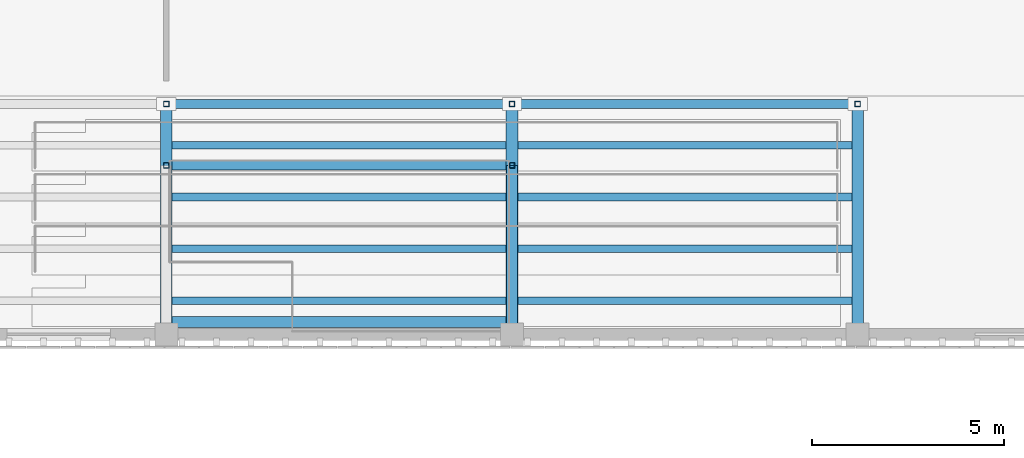
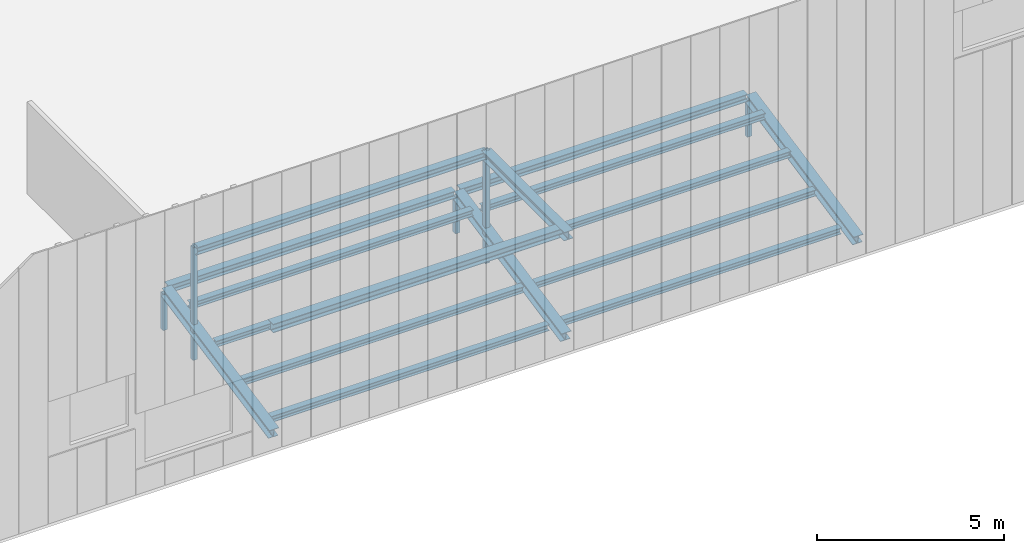
# One storey, part 20 of 67: 16 beams, 5 members.
"""IFC4 building model written with IfcOpenShell, lengths in metres."""

from ifc_helpers import new_model, si_unit, direction, frame, origin, origin_2d, place, context, subcontext, project, spatial, hollow_rectangle, i_section, extrude, material, material_profile, profile_set, type_object, element, save


model = new_model("IFC4")

# Units and contexts
model_context = context("Model", 3, precision=1e-05, world=origin(), true_north=direction((0.0, 1.0)))
body_context = subcontext(model_context, "Body", "Model", "MODEL_VIEW")
ifc_project = project(units=[si_unit("LENGTHUNIT", "METRE"), si_unit("AREAUNIT", "SQUARE_METRE"), si_unit("VOLUMEUNIT", "CUBIC_METRE"), si_unit("PLANEANGLEUNIT", "RADIAN"), si_unit("MASSUNIT", "GRAM", prefix="KILO")], contexts=[model_context])

# Site, building, storey
site_placement = place(None, origin())
site = spatial("IfcSite", under=ifc_project, at=site_placement, CompositionType="ELEMENT")
building_placement = place(site_placement, origin())
building = spatial("IfcBuilding", under=site, at=building_placement, Name="Tizgana Railside Sports Hall", CompositionType="ELEMENT")
storey_placement = place(building_placement, frame((0.0, 0.0, 12.0)))
storey = spatial("IfcBuildingStorey", under=building, at=storey_placement, Name="L02", CompositionType="ELEMENT", Elevation=12.0)

# Beams
ifc_material = material(Name="Steel S355J2", Category="steel")
ifc_material_profile_1 = material_profile(ifc_material, i_section(OverallWidth=0.199951171875, OverallDepth=0.199951171875, WebThickness=0.009033203125, FlangeThickness=0.014892578125, FilletRadius=0.01806640625, at=origin_2d()), Name="HEB 200")
ifc_profile_set_1 = profile_set([ifc_material_profile_1], Name="Steel S355J2")
beam_type_1 = type_object("IfcBeamType", Name="Steel Beam HEB 200", PredefinedType="BEAM", material=ifc_profile_set_1)
for number, where, z_axis, x_axis, name in (
    (1, (106.945068359375, 41.675048828125, 0.10498046875), (1.0, 0.0, 0.0), (0.0, 1.0, 0.0), "L02 Stand Stringer BEM-0074"),
    (2, (115.945068359375, 41.675048828125, 0.10498046875), (1.0, 0.0, 0.0), (0.0, 1.0, 0.0), "L02 Stand Stringer BEM-0075"),
    (3, (106.945068359375, 43.02490234375, 0.52490234375), (1.0, 0.0, 0.0), (0.0, 1.0, 0.0), "L02 Stand Stringer BEM-0079"),
    (4, (115.945068359375, 43.02490234375, 0.52490234375), (1.0, 0.0, 0.0), (0.0, 1.0, 0.0), "L02 Stand Stringer BEM-0080"),
    (5, (106.945068359375, 44.375, 0.965087890625), (1.0, 0.0, 0.0), (0.0, 1.0, 0.0), "L02 Stand Stringer BEM-0084"),
    (6, (115.945068359375, 44.375, 0.965087890625), (1.0, 0.0, 0.0), (0.0, 1.0, 0.0), "L02 Stand Stringer BEM-0085"),
    (7, (106.945068359375, 45.72509765625, 1.385009765625), (1.0, 0.0, 0.0), (0.0, 1.0, 0.0), "L02 Stand Stringer BEM-0089"),
    (8, (115.945068359375, 45.72509765625, 1.385009765625), (1.0, 0.0, 0.0), (0.0, 1.0, 0.0), "L02 Stand Stringer BEM-0090"),
):
    element("IfcBeam", number, at=place(storey_placement, frame(where, z_axis=z_axis, x_axis=x_axis)), inside=storey, type_object=beam_type_1, Name=name, PredefinedType="BEAM", context=body_context, shape_type="SweptSolid", body=[
        extrude(i_section(OverallWidth=0.199951171875, OverallDepth=0.199951171875, WebThickness=0.009033203125, FlangeThickness=0.014892578125, FilletRadius=0.01806640625, at=origin_2d()), origin(), (0.0, 0.0, 1.0), 8.7099609375),
    ])
ifc_material_profile_2 = material_profile(ifc_material, i_section(OverallWidth=0.239990234375, OverallDepth=0.239990234375, WebThickness=0.010009765625, FlangeThickness=0.01708984375, FilletRadius=0.02099609375, at=origin_2d()), Name="HEB 240")
ifc_profile_set_2 = profile_set([ifc_material_profile_2], Name="Steel S355J2")
beam_type_2 = type_object("IfcBeamType", Name="Steel Beam HEB 240", PredefinedType="BEAM", material=ifc_profile_set_2)
for number, where, z_axis, x_axis, name in (
    (9, (106.8798828125, 46.800048828125, 1.320068359375), (1.0, 0.0, 0.0), (0.0, 1.0, 0.0), "L02 Stand Rear Header SHB-0014"),
    (10, (115.8798828125, 46.800048828125, 1.320068359375), (1.0, 0.0, 0.0), (0.0, 1.0, 0.0), "L02 Stand Rear Header SHB-0015"),
):
    element("IfcBeam", number, at=place(storey_placement, frame(where, z_axis=z_axis, x_axis=x_axis)), inside=storey, type_object=beam_type_2, Name=name, PredefinedType="BEAM", context=body_context, shape_type="SweptSolid", body=[
        extrude(i_section(OverallWidth=0.239990234375, OverallDepth=0.239990234375, WebThickness=0.010009765625, FlangeThickness=0.01708984375, FilletRadius=0.02099609375, at=origin_2d()), origin(), (0.0, 0.0, 1.0), 8.840087890625),
    ])
beam_1_placement = place(storey_placement, frame((106.800048828125, 45.199951171875, 3.550048828125), z_axis=(1.0, 0.0, 0.0), x_axis=(0.0, 1.0, 0.0)))
element("IfcBeam", 11, at=beam_1_placement, inside=storey, type_object=beam_type_2, Name="L02 BEM-1282", PredefinedType="BEAM", context=body_context, shape_type="SweptSolid", body=[
    extrude(i_section(OverallWidth=0.239990234375, OverallDepth=0.239990234375, WebThickness=0.010009765625, FlangeThickness=0.01708984375, FilletRadius=0.02099609375, at=origin_2d()), origin(), (0.0, 0.0, 1.0), 9.0),
])
ifc_material_profile_3 = material_profile(ifc_material, i_section(OverallWidth=0.280029296875, OverallDepth=0.280029296875, WebThickness=0.010498046875, FlangeThickness=0.01806640625, FilletRadius=0.02392578125, at=origin_2d()), Name="HEB 280")
ifc_profile_set_3 = profile_set([ifc_material_profile_3], Name="Steel S355J2")
beam_type_3 = type_object("IfcBeamType", Name="Steel Beam HEB 280", PredefinedType="BEAM", material=ifc_profile_set_3)
beam_2_placement = place(storey_placement, frame((106.800048828125, 41.1201171875, 3.530029296875), z_axis=(1.0, 0.0, 0.0), x_axis=(0.0, 1.0, 0.0)))
element("IfcBeam", 12, at=beam_2_placement, inside=storey, type_object=beam_type_3, Name="L02 BEM-1281", PredefinedType="BEAM", context=body_context, shape_type="SweptSolid", body=[
    extrude(i_section(OverallWidth=0.280029296875, OverallDepth=0.280029296875, WebThickness=0.010498046875, FlangeThickness=0.01806640625, FilletRadius=0.02392578125, at=origin_2d()), origin(), (0.0, 0.0, 1.0), 9.0),
])
beam_3_placement = place(storey_placement, frame((115.800048828125, 40.800048828125, 3.530029296875), z_axis=(0.0, 1.0, 0.0), x_axis=(-1.0, 0.0, 0.0)))
element("IfcBeam", 13, at=beam_3_placement, inside=storey, type_object=beam_type_3, Name="L02 BEM-1284", PredefinedType="BEAM", context=body_context, shape_type="SweptSolid", body=[
    extrude(i_section(OverallWidth=0.280029296875, OverallDepth=0.280029296875, WebThickness=0.010498046875, FlangeThickness=0.01806640625, FilletRadius=0.02392578125, at=origin_2d()), origin(), (0.0, 0.0, 1.0), 4.39990234375),
])
ifc_material_profile_4 = material_profile(ifc_material, i_section(OverallWidth=0.300048828125, OverallDepth=0.300048828125, WebThickness=0.010986328125, FlangeThickness=0.01904296875, FilletRadius=0.027099609375, at=origin_2d()), Name="HEB 300")
ifc_profile_set_4 = profile_set([ifc_material_profile_4], Name="Steel S355J2")
beam_type_4 = type_object("IfcBeamType", Name="Steel Beam HEB 300", PredefinedType="BEAM", material=ifc_profile_set_4)
for number, where, z_axis, x_axis, name in (
    (14, (106.800048828125, 40.949951171875, 0.14990234375), (0.0, 0.979812896837, 0.199916700632), (-1.0, 0.0, 0.0), "L02 Stand Main Raker BEM-0068"),
    (15, (115.800048828125, 40.949951171875, 0.14990234375), (0.0, 0.979812896837, 0.199916700632), (-1.0, 0.0, 0.0), "L02 Stand Main Raker BEM-0069"),
    (16, (124.800048828125, 40.949951171875, 0.14990234375), (0.0, 0.979812896837, 0.199916700632), (-1.0, 0.0, 0.0), "L02 Stand Main Raker BEM-0070"),
):
    element("IfcBeam", number, at=place(storey_placement, frame(where, z_axis=z_axis, x_axis=x_axis)), inside=storey, type_object=beam_type_4, Name=name, PredefinedType="BEAM", context=body_context, shape_type="SweptSolid", body=[
        extrude(i_section(OverallWidth=0.300048828125, OverallDepth=0.300048828125, WebThickness=0.010986328125, FlangeThickness=0.01904296875, FilletRadius=0.027099609375, at=origin_2d()), origin(), (0.0, 0.0, 1.0), 5.853271484375),
    ])

# Members
ifc_material_profile_5 = material_profile(ifc_material, hollow_rectangle(XDim=0.139892578125, YDim=0.139892578125, WallThickness=0.008056640625, at=origin_2d()), Name="SHS 140x140x8")
ifc_profile_set_5 = profile_set([ifc_material_profile_5], Name="Steel S355J2")
member_type = type_object("IfcMemberType", Name="Steel Brace SHS 140x140x8", PredefinedType="BRACE", material=ifc_profile_set_5)
for number, where, z_axis, x_axis, name in (
    (17, (106.800048828125, 46.800048828125, 0.0), (0.0, 0.0, 1.0), (1.0, 0.0, 0.0), "L02 Stand Strut"),
    (18, (115.800048828125, 46.800048828125, 0.0), (0.0, 0.0, 1.0), (1.0, 0.0, 0.0), "L02 Stand Strut"),
    (19, (124.800048828125, 46.800048828125, 0.0), (0.0, 0.0, 1.0), (1.0, 0.0, 0.0), "L02 Stand Strut"),
):
    element("IfcMember", number, at=place(storey_placement, frame(where, z_axis=z_axis, x_axis=x_axis)), inside=storey, type_object=member_type, Name=name, PredefinedType="BRACE", context=body_context, shape_type="SweptSolid", body=[
        extrude(hollow_rectangle(XDim=0.139892578125, YDim=0.139892578125, WallThickness=0.008056640625, at=origin_2d()), origin(), (0.0, 0.0, 1.0), 1.18994140625),
    ])
for number, where, z_axis, x_axis, name in (
    (20, (106.800048828125, 45.199951171875, 0.0), (0.0, 0.0, 1.0), (1.0, 0.0, 0.0), "L02 Catwalk Hanger"),
    (21, (115.800048828125, 45.199951171875, 0.0), (0.0, 0.0, 1.0), (1.0, 0.0, 0.0), "L02 Catwalk Hanger"),
):
    element("IfcMember", number, at=place(storey_placement, frame(where, z_axis=z_axis, x_axis=x_axis)), inside=storey, type_object=member_type, Name=name, PredefinedType="BRACE", context=body_context, shape_type="SweptSolid", body=[
        extrude(hollow_rectangle(XDim=0.139892578125, YDim=0.139892578125, WallThickness=0.008056640625, at=origin_2d()), origin(), (0.0, 0.0, 1.0), 3.669921875),
    ])

save(model, "model.ifc")
